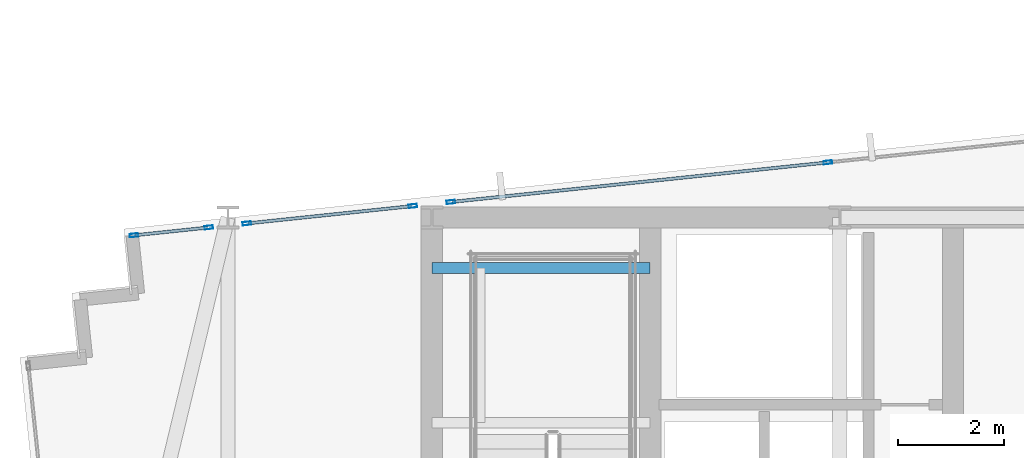
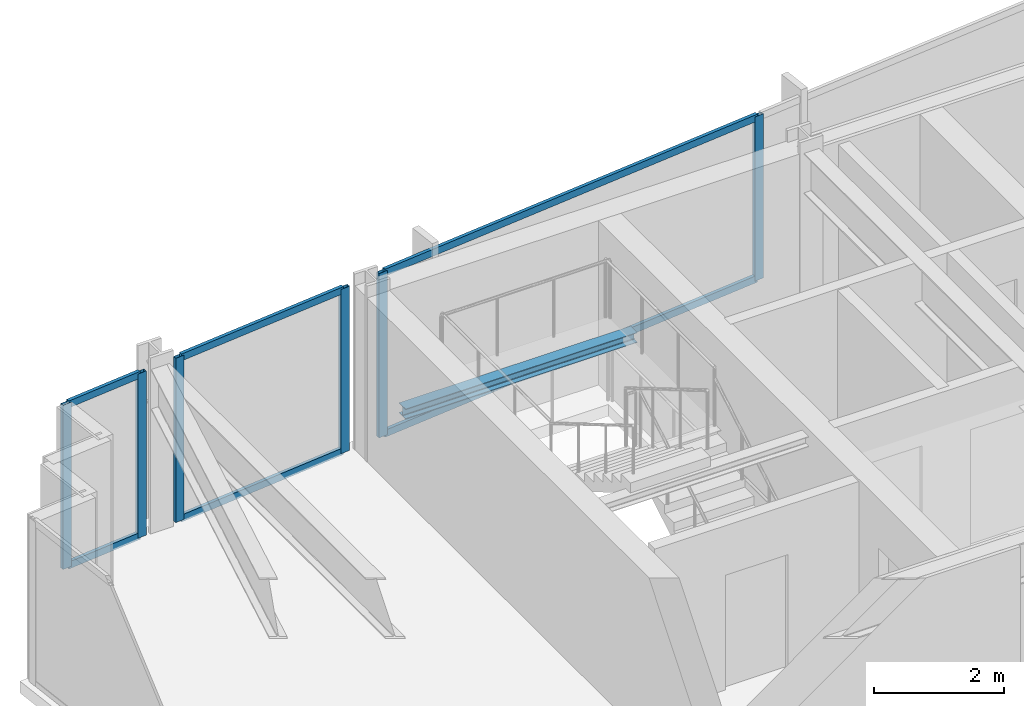
# One storey, part 20 of 33: 12 members, 1 beam, 3 elements without a shape of their own.
"""IFC4 building model written with IfcOpenShell, lengths in metres."""

from ifc_helpers import new_model, si_unit, direction, frame, origin, origin_2d, place, context, subcontext, project, spatial, hollow_rectangle, i_section, extrude, material, material_profile, profile_set, type_object, element, aggregate, save


model = new_model("IFC4")

# Units and contexts
model_context = context("Model", 3, precision=1e-05, world=origin(), true_north=direction((0.0, 1.0)))
body_context = subcontext(model_context, "Body", "Model", "MODEL_VIEW")
ifc_project = project(units=[si_unit("LENGTHUNIT", "METRE"), si_unit("AREAUNIT", "SQUARE_METRE"), si_unit("VOLUMEUNIT", "CUBIC_METRE"), si_unit("PLANEANGLEUNIT", "RADIAN"), si_unit("MASSUNIT", "GRAM", prefix="KILO")], contexts=[model_context])

# Site, building, storey
site_placement = place(None, origin())
site = spatial("IfcSite", under=ifc_project, at=site_placement, CompositionType="ELEMENT")
building_placement = place(site_placement, origin())
building = spatial("IfcBuilding", under=site, at=building_placement, Name="Yelkora Congress Tower", CompositionType="ELEMENT")
storey_placement = place(building_placement, frame((0.0, 0.0, 227.60009765625)))
storey = spatial("IfcBuildingStorey", under=building, at=storey_placement, Name="L63", CompositionType="ELEMENT", Elevation=227.60009765625)

# Beam
ifc_material_1 = material(Name="Steel S355J2", Category="steel")
ifc_material_profile_1 = material_profile(ifc_material_1, i_section(OverallWidth=0.199951171875, OverallDepth=0.18994140625, WebThickness=0.006591796875, FlangeThickness=0.010009765625, FilletRadius=0.01806640625, at=origin_2d()), Name="HEA 200")
ifc_profile_set_1 = profile_set([ifc_material_profile_1], Name="Steel S355J2")
beam_type = type_object("IfcBeamType", Name="BM-LAND-HEA200", PredefinedType="BEAM", material=ifc_profile_set_1)
beam_placement = place(storey_placement, frame((23.0400390625, 45.25, 1.33447265625), z_axis=(1.0, 0.0, 0.0), x_axis=(0.0, 1.0, 0.0)))
element("IfcBeam", 1, at=beam_placement, inside=storey, type_object=beam_type, Name="ST-01 L63 Landing Header Beam 1N", PredefinedType="BEAM", context=body_context, shape_type="SweptSolid", body=[
    extrude(i_section(OverallWidth=0.199951171875, OverallDepth=0.18994140625, WebThickness=0.006591796875, FlangeThickness=0.010009765625, FilletRadius=0.01806640625, at=origin_2d()), origin(), (0.0, 0.0, 1.0), 4.10986328125),
])

# Curtain wall, members
ifc_material_2 = material(Name="Anodised aluminium and insulated glass", Category="aluminium")
curtain_wall_type = type_object("IfcCurtainWallType", Name="CW-SYS-B4", PredefinedType="NOTDEFINED", material=ifc_material_2)
curtain_wall_1_placement = place(storey_placement, origin())
curtain_wall_1 = element("IfcCurtainWall", 2, at=curtain_wall_1_placement, inside=storey, type_object=curtain_wall_type, Name="L63 Unitised Curtain Wall 10 (1)", PredefinedType="NOTDEFINED")
ifc_material_3 = material(Name="Anodised aluminium 6063-T6", Category="aluminium")
ifc_material_profile_2 = material_profile(ifc_material_3, hollow_rectangle(XDim=0.06494140625, YDim=0.159912109375, WallThickness=0.00390625, at=origin_2d()), Name="ALU 65x160x4")
ifc_profile_set_2 = profile_set([ifc_material_profile_2], Name="Anodised aluminium 6063-T6")
member_type_1 = type_object("IfcMemberType", Name="MEM-ML-B4", PredefinedType="MULLION", material=ifc_profile_set_2)
member_1_placement = place(storey_placement, frame((17.431396484375, 45.865966796875, 0.0), z_axis=(0.0, 0.0, 1.0), x_axis=(-0.104509292244, 0.994523910137, 0.0)))
member_1 = element("IfcMember", 3, at=member_1_placement, type_object=member_type_1, Name="CW-B4 mullion 1", PredefinedType="MULLION", context=body_context, shape_type="SweptSolid", body=[
    extrude(hollow_rectangle(XDim=0.06494140625, YDim=0.159912109375, WallThickness=0.00390625, at=origin_2d()), origin(), (0.0, 0.0, 1.0), 3.079833984375),
])
member_2_placement = place(storey_placement, frame((18.841796875, 46.01416015625, 0.0), z_axis=(0.0, 0.0, 1.0), x_axis=(-0.104509292244, 0.994523910137, 0.0)))
member_2 = element("IfcMember", 4, at=member_2_placement, type_object=member_type_1, Name="CW-B4 mullion 2", PredefinedType="MULLION", context=body_context, shape_type="SweptSolid", body=[
    extrude(hollow_rectangle(XDim=0.06494140625, YDim=0.159912109375, WallThickness=0.00390625, at=origin_2d()), origin(), (0.0, 0.0, 1.0), 3.079833984375),
])

curtain_wall_2_placement = place(storey_placement, origin())
curtain_wall_2 = element("IfcCurtainWall", 5, at=curtain_wall_2_placement, inside=storey, type_object=curtain_wall_type, Name="L63 Unitised Curtain Wall 10 (2)", PredefinedType="NOTDEFINED")
member_3_placement = place(storey_placement, frame((19.558349609375, 46.089599609375, 0.0), z_axis=(0.0, 0.0, 1.0), x_axis=(-0.104506154437, 0.994524239868, 0.0)))
member_3 = element("IfcMember", 6, at=member_3_placement, type_object=member_type_1, Name="CW-B4 mullion 1", PredefinedType="MULLION", context=body_context, shape_type="SweptSolid", body=[
    extrude(hollow_rectangle(XDim=0.06494140625, YDim=0.159912109375, WallThickness=0.00390625, at=origin_2d()), origin(), (0.0, 0.0, 1.0), 3.079833984375),
])
member_4_placement = place(storey_placement, frame((22.681640625, 46.417724609375, 0.0), z_axis=(0.0, 0.0, 1.0), x_axis=(-0.104506154437, 0.994524239868, 0.0)))
member_4 = element("IfcMember", 7, at=member_4_placement, type_object=member_type_1, Name="CW-B4 mullion 2", PredefinedType="MULLION", context=body_context, shape_type="SweptSolid", body=[
    extrude(hollow_rectangle(XDim=0.06494140625, YDim=0.159912109375, WallThickness=0.00390625, at=origin_2d()), origin(), (0.0, 0.0, 1.0), 3.079833984375),
])

curtain_wall_3_placement = place(storey_placement, origin())
curtain_wall_3 = element("IfcCurtainWall", 8, at=curtain_wall_3_placement, inside=storey, type_object=curtain_wall_type, Name="L63 Unitised Curtain Wall 10 (3)", PredefinedType="NOTDEFINED")
member_5_placement = place(storey_placement, frame((23.3984375, 46.4931640625, 0.0), z_axis=(0.0, 0.0, 1.0), x_axis=(-0.104527724021, 0.994521973066, 0.0)))
member_5 = element("IfcMember", 9, at=member_5_placement, type_object=member_type_1, Name="CW-B4 mullion 1", PredefinedType="MULLION", context=body_context, shape_type="SweptSolid", body=[
    extrude(hollow_rectangle(XDim=0.06494140625, YDim=0.159912109375, WallThickness=0.00390625, at=origin_2d()), origin(), (0.0, 0.0, 1.0), 3.079833984375),
])
member_6_placement = place(storey_placement, frame((30.496826171875, 47.2392578125, 0.0), z_axis=(0.0, 0.0, 1.0), x_axis=(-0.104527724021, 0.994521973066, 0.0)))
member_6 = element("IfcMember", 10, at=member_6_placement, type_object=member_type_1, Name="CW-B4 mullion 2", PredefinedType="MULLION", context=body_context, shape_type="SweptSolid", body=[
    extrude(hollow_rectangle(XDim=0.06494140625, YDim=0.159912109375, WallThickness=0.00390625, at=origin_2d()), origin(), (0.0, 0.0, 1.0), 3.079833984375),
])

# Member
ifc_material_profile_3 = material_profile(ifc_material_3, hollow_rectangle(XDim=0.06005859375, YDim=0.1298828125, WallThickness=0.00390625, at=origin_2d()), Name="ALU 60x130x4")
ifc_profile_set_3 = profile_set([ifc_material_profile_3], Name="Anodised aluminium 6063-T6")
member_type_2 = type_object("IfcMemberType", Name="MEM-TR-B4", PredefinedType="USERDEFINED", material=ifc_profile_set_3)
member_7_placement = place(storey_placement, frame((17.463623046875, 45.869384765625, 0.02978515625), z_axis=(0.994528168538, 0.10446876081, 0.0), x_axis=(-0.10446876081, 0.994528168538, 0.0)))
member_7 = element("IfcMember", 11, at=member_7_placement, type_object=member_type_2, Name="CW-B4 transom 1.1", ObjectType="TRANSOM", PredefinedType="USERDEFINED", context=body_context, shape_type="SweptSolid", body=[
    extrude(hollow_rectangle(XDim=0.06005859375, YDim=0.1298828125, WallThickness=0.00390625, at=origin_2d()), origin(), (0.0, 0.0, 1.0), 1.35302734375),
])

member_8_placement = place(storey_placement, frame((17.463623046875, 45.869384765625, 3.0498046875), z_axis=(0.994528168538, 0.10446876081, 0.0), x_axis=(-0.10446876081, 0.994528168538, 0.0)))
member_8 = element("IfcMember", 12, at=member_8_placement, type_object=member_type_2, Name="CW-B4 transom 1.2", ObjectType="TRANSOM", PredefinedType="USERDEFINED", context=body_context, shape_type="SweptSolid", body=[
    extrude(hollow_rectangle(XDim=0.06005859375, YDim=0.1298828125, WallThickness=0.00390625, at=origin_2d()), origin(), (0.0, 0.0, 1.0), 1.35302734375),
])

aggregate(curtain_wall_1, [member_1, member_2, member_7, member_8])

member_9_placement = place(storey_placement, frame((19.590576171875, 46.093017578125, 0.02978515625), z_axis=(0.994528915126, 0.104461653149, 0.0), x_axis=(-0.104461653149, 0.994528915126, 0.0)))
member_9 = element("IfcMember", 13, at=member_9_placement, type_object=member_type_2, Name="CW-B4 transom 1.1", ObjectType="TRANSOM", PredefinedType="USERDEFINED", context=body_context, shape_type="SweptSolid", body=[
    extrude(hollow_rectangle(XDim=0.06005859375, YDim=0.1298828125, WallThickness=0.00390625, at=origin_2d()), origin(), (0.0, 0.0, 1.0), 3.07568359375),
])

member_10_placement = place(storey_placement, frame((19.590576171875, 46.093017578125, 3.0498046875), z_axis=(0.994528915126, 0.104461653149, 0.0), x_axis=(-0.104461653149, 0.994528915126, 0.0)))
member_10 = element("IfcMember", 14, at=member_10_placement, type_object=member_type_2, Name="CW-B4 transom 1.2", ObjectType="TRANSOM", PredefinedType="USERDEFINED", context=body_context, shape_type="SweptSolid", body=[
    extrude(hollow_rectangle(XDim=0.06005859375, YDim=0.1298828125, WallThickness=0.00390625, at=origin_2d()), origin(), (0.0, 0.0, 1.0), 3.07568359375),
])

aggregate(curtain_wall_2, [member_3, member_4, member_9, member_10])

member_11_placement = place(storey_placement, frame((23.4306640625, 46.49658203125, 0.02978515625), z_axis=(0.994522085625, 0.104526653081, 0.0), x_axis=(-0.104526653081, 0.994522085625, 0.0)))
member_11 = element("IfcMember", 15, at=member_11_placement, type_object=member_type_2, Name="CW-B4 transom 1.1", ObjectType="TRANSOM", PredefinedType="USERDEFINED", context=body_context, shape_type="SweptSolid", body=[
    extrude(hollow_rectangle(XDim=0.06005859375, YDim=0.1298828125, WallThickness=0.00390625, at=origin_2d()), origin(), (0.0, 0.0, 1.0), 7.072509765625),
])

member_12_placement = place(storey_placement, frame((23.4306640625, 46.49658203125, 3.0498046875), z_axis=(0.994522085625, 0.104526653081, 0.0), x_axis=(-0.104526653081, 0.994522085625, 0.0)))
member_12 = element("IfcMember", 16, at=member_12_placement, type_object=member_type_2, Name="CW-B4 transom 1.2", ObjectType="TRANSOM", PredefinedType="USERDEFINED", context=body_context, shape_type="SweptSolid", body=[
    extrude(hollow_rectangle(XDim=0.06005859375, YDim=0.1298828125, WallThickness=0.00390625, at=origin_2d()), origin(), (0.0, 0.0, 1.0), 7.072509765625),
])

aggregate(curtain_wall_3, [member_5, member_6, member_11, member_12])

save(model, "model.ifc")
